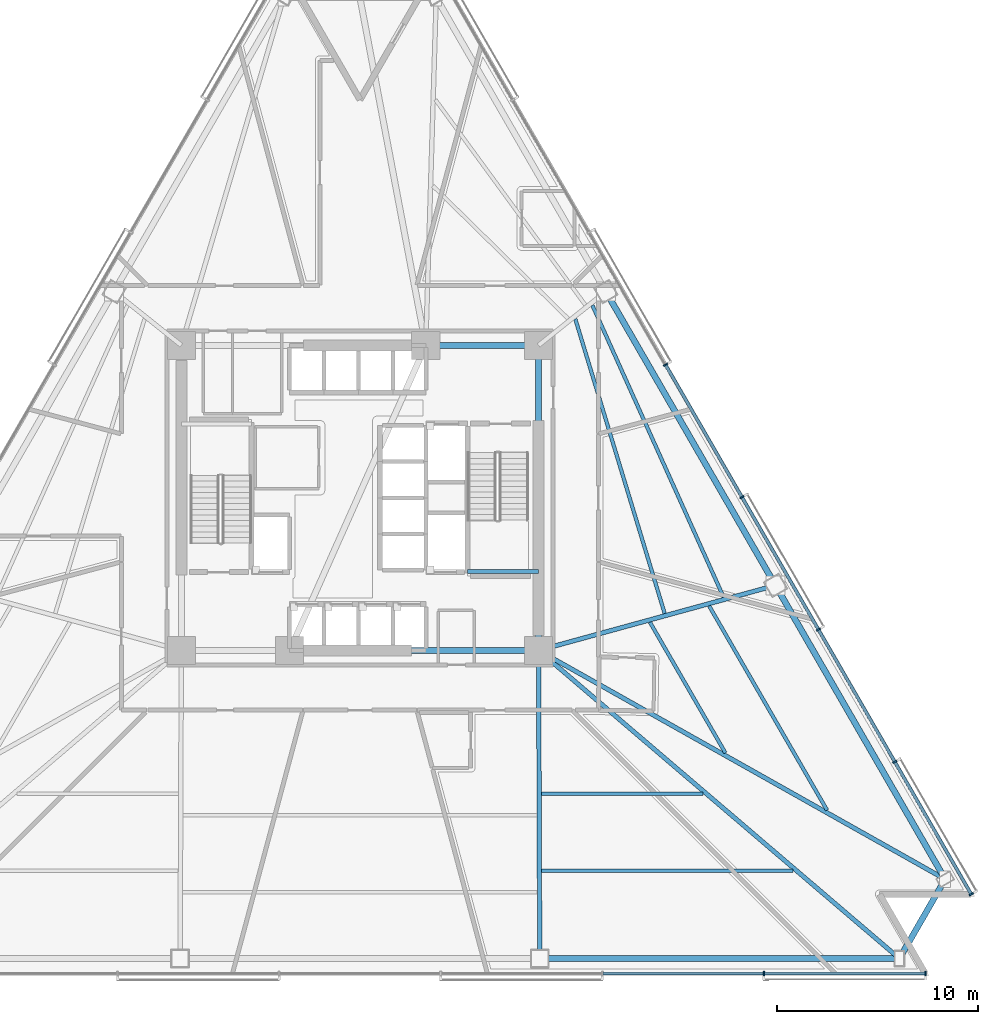
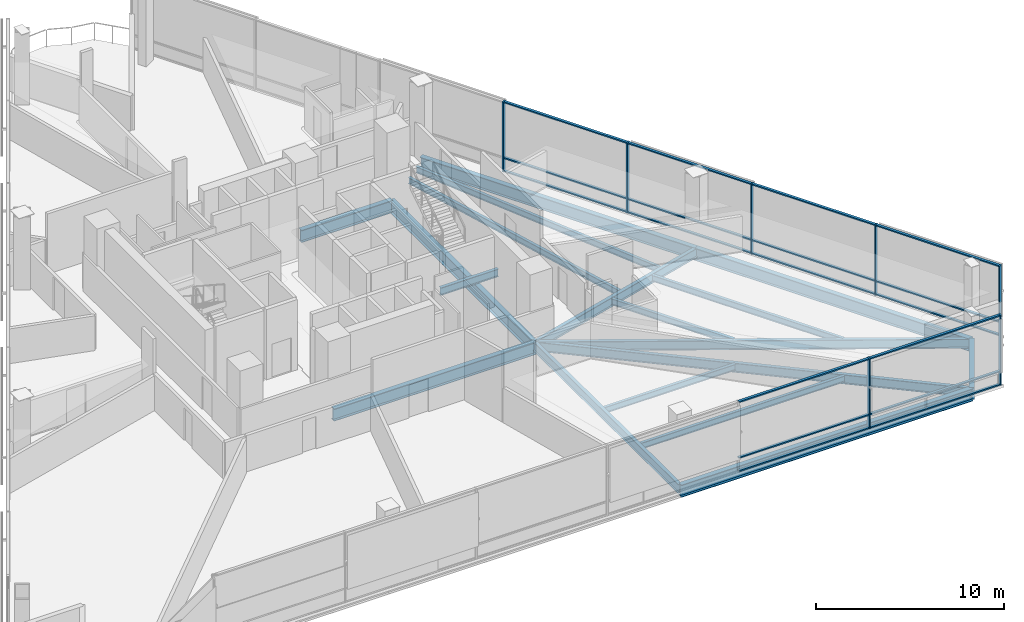
# One storey, part 4 of 17: 25 members, 18 beams, 2 elements without a shape of their own.
"""IFC4 building model written with IfcOpenShell, lengths in metres."""

from ifc_helpers import new_model, si_unit, direction, frame, origin, origin_2d, place, context, subcontext, project, spatial, rectangle, i_section, extrude, material, layer, layer_set, material_profile, profile_set, type_object, element, aggregate, save


model = new_model("IFC4")

# Units and contexts
model_context = context("Model", 3, precision=1e-05, world=origin(), true_north=direction((0.0, 1.0)))
body_context = subcontext(model_context, "Body", "Model", "MODEL_VIEW")
ifc_project = project(units=[si_unit("LENGTHUNIT", "METRE"), si_unit("AREAUNIT", "SQUARE_METRE"), si_unit("VOLUMEUNIT", "CUBIC_METRE"), si_unit("PLANEANGLEUNIT", "RADIAN"), si_unit("MASSUNIT", "GRAM", prefix="KILO")], contexts=[model_context])

# Site, building, storey
site_placement = place(None, origin())
site = spatial("IfcSite", under=ifc_project, at=site_placement, CompositionType="ELEMENT")
building_placement = place(site_placement, origin())
building = spatial("IfcBuilding", under=site, at=building_placement, Name="Tharavind Bronze Gate", CompositionType="ELEMENT")
storey_placement = place(building_placement, frame((0.0, 0.0, 52.25)))
storey = spatial("IfcBuildingStorey", under=building, at=storey_placement, Name="L12", CompositionType="ELEMENT", Elevation=52.25)

# Curtain wall, members
ifc_material_1 = material(Name="Anodised Bronze Aluminium", Category="aluminium")
ifc_layer = layer(ifc_material_1, 0.219970703125)
ifc_layer_set = layer_set([ifc_layer], Name="Anodised Bronze Aluminium")
curtain_wall_type = type_object("IfcCurtainWallType", Name="UNITISED CURTAIN WALL HOTEL", PredefinedType="USERDEFINED", material=ifc_layer_set)
curtain_wall_1_placement = place(storey_placement, origin())
curtain_wall_1 = element("IfcCurtainWall", 1, at=curtain_wall_1_placement, inside=storey, type_object=curtain_wall_type, Name="L12 unitised curtain wall hotel CW-L12-S2", ObjectType="UNITISED CURTAIN WALL", PredefinedType="USERDEFINED")
member_type_1 = type_object("IfcMemberType", Name="CURTAIN WALL MULLION 80X220", PredefinedType="MULLION", material=ifc_material_1)
member_1_placement = place(storey_placement, frame((20.12548828125, -23.699951171875, 0.0), z_axis=(0.0, 0.0, 1.0), x_axis=(1.0, 0.0, 0.0)))
member_1 = element("IfcMember", 2, at=member_1_placement, type_object=member_type_1, Name="CW-L12-S2 mullion 7", PredefinedType="MULLION", context=body_context, shape_type="SweptSolid", body=[
    extrude(rectangle(XDim=0.080078125, YDim=0.219970703125, at=origin_2d()), origin(), (0.0, 0.0, 1.0), 4.56005859375),
])
member_2_placement = place(storey_placement, frame((28.17578125, -23.699951171875, 0.0), z_axis=(0.0, 0.0, 1.0), x_axis=(1.0, 0.0, 0.0)))
member_2 = element("IfcMember", 3, at=member_2_placement, type_object=member_type_1, Name="CW-L12-S2 mullion 8", PredefinedType="MULLION", context=body_context, shape_type="SweptSolid", body=[
    extrude(rectangle(XDim=0.080078125, YDim=0.219970703125, at=origin_2d()), origin(), (0.0, 0.0, 1.0), 4.56005859375),
])

curtain_wall_2_placement = place(storey_placement, origin())
curtain_wall_2 = element("IfcCurtainWall", 4, at=curtain_wall_2_placement, inside=storey, type_object=curtain_wall_type, Name="L12 unitised curtain wall hotel CW-L12-S3", ObjectType="UNITISED CURTAIN WALL", PredefinedType="USERDEFINED")
member_3_placement = place(storey_placement, frame((30.455810546875, -19.7509765625, 0.0), z_axis=(0.0, 0.0, 1.0), x_axis=(-0.500001511499, 0.866024531118, 0.0)))
member_3 = element("IfcMember", 5, at=member_3_placement, type_object=member_type_1, Name="CW-L12-S3 mullion 1", PredefinedType="MULLION", context=body_context, shape_type="SweptSolid", body=[
    extrude(rectangle(XDim=0.080078125, YDim=0.219970703125, at=origin_2d()), origin(), (0.0, 0.0, 1.0), 4.56005859375),
])
member_4_placement = place(storey_placement, frame((26.647705078125, -13.1552734375, 0.0), z_axis=(0.0, 0.0, 1.0), x_axis=(-0.500001511499, 0.866024531118, 0.0)))
member_4 = element("IfcMember", 6, at=member_4_placement, type_object=member_type_1, Name="CW-L12-S3 mullion 2", PredefinedType="MULLION", context=body_context, shape_type="SweptSolid", body=[
    extrude(rectangle(XDim=0.080078125, YDim=0.219970703125, at=origin_2d()), origin(), (0.0, 0.0, 1.0), 4.56005859375),
])
member_5_placement = place(storey_placement, frame((22.83984375, -6.559814453125, 0.0), z_axis=(0.0, 0.0, 1.0), x_axis=(-0.500001511499, 0.866024531118, 0.0)))
member_5 = element("IfcMember", 7, at=member_5_placement, type_object=member_type_1, Name="CW-L12-S3 mullion 3", PredefinedType="MULLION", context=body_context, shape_type="SweptSolid", body=[
    extrude(rectangle(XDim=0.080078125, YDim=0.219970703125, at=origin_2d()), origin(), (0.0, 0.0, 1.0), 4.56005859375),
])
member_6_placement = place(storey_placement, frame((19.031982421875, 0.035888671875, 0.0), z_axis=(0.0, 0.0, 1.0), x_axis=(-0.500001511499, 0.866024531118, 0.0)))
member_6 = element("IfcMember", 8, at=member_6_placement, type_object=member_type_1, Name="CW-L12-S3 mullion 4", PredefinedType="MULLION", context=body_context, shape_type="SweptSolid", body=[
    extrude(rectangle(XDim=0.080078125, YDim=0.219970703125, at=origin_2d()), origin(), (0.0, 0.0, 1.0), 4.56005859375),
])
member_7_placement = place(storey_placement, frame((15.223876953125, 6.63134765625, 0.0), z_axis=(0.0, 0.0, 1.0), x_axis=(-0.500001511499, 0.866024531118, 0.0)))
member_7 = element("IfcMember", 9, at=member_7_placement, type_object=member_type_1, Name="CW-L12-S3 mullion 5", PredefinedType="MULLION", context=body_context, shape_type="SweptSolid", body=[
    extrude(rectangle(XDim=0.080078125, YDim=0.219970703125, at=origin_2d()), origin(), (0.0, 0.0, 1.0), 4.56005859375),
])

# Member
member_type_2 = type_object("IfcMemberType", Name="CURTAIN WALL TRANSOM 80X160", PredefinedType="USERDEFINED", material=ifc_material_1)
member_8_placement = place(storey_placement, frame((16.1005859375, -23.699951171875, 0.0), z_axis=(0.0, 0.0, 1.0), x_axis=(1.0, 0.0, 0.0)))
member_8 = element("IfcMember", 10, at=member_8_placement, type_object=member_type_2, Name="CW-L12-S2 transom TB6", ObjectType="TRANSOM", PredefinedType="USERDEFINED", context=body_context, shape_type="SweptSolid", body=[
    extrude(rectangle(XDim=7.982177734375, YDim=0.159912109375, at=origin_2d()), origin(), (0.0, 0.0, 1.0), 0.080078125),
])

member_9_placement = place(storey_placement, frame((16.1005859375, -23.699951171875, 0.85986328125), z_axis=(0.0, 0.0, 1.0), x_axis=(1.0, 0.0, 0.0)))
member_9 = element("IfcMember", 11, at=member_9_placement, type_object=member_type_2, Name="CW-L12-S2 transom TS6", ObjectType="TRANSOM", PredefinedType="USERDEFINED", context=body_context, shape_type="SweptSolid", body=[
    extrude(rectangle(XDim=7.982177734375, YDim=0.159912109375, at=origin_2d()), origin(), (0.0, 0.0, 1.0), 0.080078125),
])

member_10_placement = place(storey_placement, frame((16.1005859375, -23.699951171875, 4.47998046875), z_axis=(0.0, 0.0, 1.0), x_axis=(1.0, 0.0, 0.0)))
member_10 = element("IfcMember", 12, at=member_10_placement, type_object=member_type_2, Name="CW-L12-S2 transom TT6", ObjectType="TRANSOM", PredefinedType="USERDEFINED", context=body_context, shape_type="SweptSolid", body=[
    extrude(rectangle(XDim=7.982177734375, YDim=0.159912109375, at=origin_2d()), origin(), (0.0, 0.0, 1.0), 0.080078125),
])

member_11_placement = place(storey_placement, frame((24.150634765625, -23.699951171875, 0.0), z_axis=(0.0, 0.0, 1.0), x_axis=(1.0, 0.0, 0.0)))
member_11 = element("IfcMember", 13, at=member_11_placement, type_object=member_type_2, Name="CW-L12-S2 transom TB7", ObjectType="TRANSOM", PredefinedType="USERDEFINED", context=body_context, shape_type="SweptSolid", body=[
    extrude(rectangle(XDim=7.982177734375, YDim=0.159912109375, at=origin_2d()), origin(), (0.0, 0.0, 1.0), 0.080078125),
])

member_12_placement = place(storey_placement, frame((24.150634765625, -23.699951171875, 0.85986328125), z_axis=(0.0, 0.0, 1.0), x_axis=(1.0, 0.0, 0.0)))
member_12 = element("IfcMember", 14, at=member_12_placement, type_object=member_type_2, Name="CW-L12-S2 transom TS7", ObjectType="TRANSOM", PredefinedType="USERDEFINED", context=body_context, shape_type="SweptSolid", body=[
    extrude(rectangle(XDim=7.982177734375, YDim=0.159912109375, at=origin_2d()), origin(), (0.0, 0.0, 1.0), 0.080078125),
])

member_13_placement = place(storey_placement, frame((24.150634765625, -23.699951171875, 4.47998046875), z_axis=(0.0, 0.0, 1.0), x_axis=(1.0, 0.0, 0.0)))
member_13 = element("IfcMember", 15, at=member_13_placement, type_object=member_type_2, Name="CW-L12-S2 transom TT7", ObjectType="TRANSOM", PredefinedType="USERDEFINED", context=body_context, shape_type="SweptSolid", body=[
    extrude(rectangle(XDim=7.982177734375, YDim=0.159912109375, at=origin_2d()), origin(), (0.0, 0.0, 1.0), 0.080078125),
])

aggregate(curtain_wall_1, [member_1, member_2, member_8, member_9, member_10, member_11, member_12, member_13])

member_14_placement = place(storey_placement, frame((28.5517578125, -16.453125, 0.0), z_axis=(0.0, 0.0, 1.0), x_axis=(-0.500001511499, 0.866024531118, 0.0)))
member_14 = element("IfcMember", 16, at=member_14_placement, type_object=member_type_2, Name="CW-L12-S3 transom TB1", ObjectType="TRANSOM", PredefinedType="USERDEFINED", context=body_context, shape_type="SweptSolid", body=[
    extrude(rectangle(XDim=7.5478515625, YDim=0.159912109375, at=origin_2d()), origin(), (0.0, 0.0, 1.0), 0.080078125),
])

member_15_placement = place(storey_placement, frame((28.5517578125, -16.453125, 0.85986328125), z_axis=(0.0, 0.0, 1.0), x_axis=(-0.500001511499, 0.866024531118, 0.0)))
member_15 = element("IfcMember", 17, at=member_15_placement, type_object=member_type_2, Name="CW-L12-S3 transom TS1", ObjectType="TRANSOM", PredefinedType="USERDEFINED", context=body_context, shape_type="SweptSolid", body=[
    extrude(rectangle(XDim=7.5478515625, YDim=0.159912109375, at=origin_2d()), origin(), (0.0, 0.0, 1.0), 0.080078125),
])

member_16_placement = place(storey_placement, frame((28.5517578125, -16.453125, 4.47998046875), z_axis=(0.0, 0.0, 1.0), x_axis=(-0.500001511499, 0.866024531118, 0.0)))
member_16 = element("IfcMember", 18, at=member_16_placement, type_object=member_type_2, Name="CW-L12-S3 transom TT1", ObjectType="TRANSOM", PredefinedType="USERDEFINED", context=body_context, shape_type="SweptSolid", body=[
    extrude(rectangle(XDim=7.5478515625, YDim=0.159912109375, at=origin_2d()), origin(), (0.0, 0.0, 1.0), 0.080078125),
])

member_17_placement = place(storey_placement, frame((24.743896484375, -9.857421875, 0.0), z_axis=(0.0, 0.0, 1.0), x_axis=(-0.500001511499, 0.866024531118, 0.0)))
member_17 = element("IfcMember", 19, at=member_17_placement, type_object=member_type_2, Name="CW-L12-S3 transom TB2", ObjectType="TRANSOM", PredefinedType="USERDEFINED", context=body_context, shape_type="SweptSolid", body=[
    extrude(rectangle(XDim=7.5478515625, YDim=0.159912109375, at=origin_2d()), origin(), (0.0, 0.0, 1.0), 0.080078125),
])

member_18_placement = place(storey_placement, frame((24.743896484375, -9.857421875, 0.85986328125), z_axis=(0.0, 0.0, 1.0), x_axis=(-0.500001511499, 0.866024531118, 0.0)))
member_18 = element("IfcMember", 20, at=member_18_placement, type_object=member_type_2, Name="CW-L12-S3 transom TS2", ObjectType="TRANSOM", PredefinedType="USERDEFINED", context=body_context, shape_type="SweptSolid", body=[
    extrude(rectangle(XDim=7.5478515625, YDim=0.159912109375, at=origin_2d()), origin(), (0.0, 0.0, 1.0), 0.080078125),
])

member_19_placement = place(storey_placement, frame((24.743896484375, -9.857421875, 4.47998046875), z_axis=(0.0, 0.0, 1.0), x_axis=(-0.500001511499, 0.866024531118, 0.0)))
member_19 = element("IfcMember", 21, at=member_19_placement, type_object=member_type_2, Name="CW-L12-S3 transom TT2", ObjectType="TRANSOM", PredefinedType="USERDEFINED", context=body_context, shape_type="SweptSolid", body=[
    extrude(rectangle(XDim=7.5478515625, YDim=0.159912109375, at=origin_2d()), origin(), (0.0, 0.0, 1.0), 0.080078125),
])

member_20_placement = place(storey_placement, frame((20.935791015625, -3.261962890625, 0.0), z_axis=(0.0, 0.0, 1.0), x_axis=(-0.500001511499, 0.866024531118, 0.0)))
member_20 = element("IfcMember", 22, at=member_20_placement, type_object=member_type_2, Name="CW-L12-S3 transom TB3", ObjectType="TRANSOM", PredefinedType="USERDEFINED", context=body_context, shape_type="SweptSolid", body=[
    extrude(rectangle(XDim=7.5478515625, YDim=0.159912109375, at=origin_2d()), origin(), (0.0, 0.0, 1.0), 0.080078125),
])

member_21_placement = place(storey_placement, frame((20.935791015625, -3.261962890625, 0.85986328125), z_axis=(0.0, 0.0, 1.0), x_axis=(-0.500001511499, 0.866024531118, 0.0)))
member_21 = element("IfcMember", 23, at=member_21_placement, type_object=member_type_2, Name="CW-L12-S3 transom TS3", ObjectType="TRANSOM", PredefinedType="USERDEFINED", context=body_context, shape_type="SweptSolid", body=[
    extrude(rectangle(XDim=7.5478515625, YDim=0.159912109375, at=origin_2d()), origin(), (0.0, 0.0, 1.0), 0.080078125),
])

member_22_placement = place(storey_placement, frame((20.935791015625, -3.261962890625, 4.47998046875), z_axis=(0.0, 0.0, 1.0), x_axis=(-0.500001511499, 0.866024531118, 0.0)))
member_22 = element("IfcMember", 24, at=member_22_placement, type_object=member_type_2, Name="CW-L12-S3 transom TT3", ObjectType="TRANSOM", PredefinedType="USERDEFINED", context=body_context, shape_type="SweptSolid", body=[
    extrude(rectangle(XDim=7.5478515625, YDim=0.159912109375, at=origin_2d()), origin(), (0.0, 0.0, 1.0), 0.080078125),
])

member_23_placement = place(storey_placement, frame((17.1279296875, 3.33349609375, 0.0), z_axis=(0.0, 0.0, 1.0), x_axis=(-0.500001511499, 0.866024531118, 0.0)))
member_23 = element("IfcMember", 25, at=member_23_placement, type_object=member_type_2, Name="CW-L12-S3 transom TB4", ObjectType="TRANSOM", PredefinedType="USERDEFINED", context=body_context, shape_type="SweptSolid", body=[
    extrude(rectangle(XDim=7.5478515625, YDim=0.159912109375, at=origin_2d()), origin(), (0.0, 0.0, 1.0), 0.080078125),
])

member_24_placement = place(storey_placement, frame((17.1279296875, 3.33349609375, 0.85986328125), z_axis=(0.0, 0.0, 1.0), x_axis=(-0.500001511499, 0.866024531118, 0.0)))
member_24 = element("IfcMember", 26, at=member_24_placement, type_object=member_type_2, Name="CW-L12-S3 transom TS4", ObjectType="TRANSOM", PredefinedType="USERDEFINED", context=body_context, shape_type="SweptSolid", body=[
    extrude(rectangle(XDim=7.5478515625, YDim=0.159912109375, at=origin_2d()), origin(), (0.0, 0.0, 1.0), 0.080078125),
])

member_25_placement = place(storey_placement, frame((17.1279296875, 3.33349609375, 4.47998046875), z_axis=(0.0, 0.0, 1.0), x_axis=(-0.500001511499, 0.866024531118, 0.0)))
member_25 = element("IfcMember", 27, at=member_25_placement, type_object=member_type_2, Name="CW-L12-S3 transom TT4", ObjectType="TRANSOM", PredefinedType="USERDEFINED", context=body_context, shape_type="SweptSolid", body=[
    extrude(rectangle(XDim=7.5478515625, YDim=0.159912109375, at=origin_2d()), origin(), (0.0, 0.0, 1.0), 0.080078125),
])

aggregate(curtain_wall_2, [member_3, member_4, member_5, member_6, member_7, member_14, member_15, member_16, member_17, member_18, member_19, member_20, member_21, member_22, member_23, member_24, member_25])

# Beams
ifc_material_2 = material(Name="Steel S355", Category="steel")
ifc_material_profile_1 = material_profile(ifc_material_2, i_section(OverallWidth=0.199951171875, OverallDepth=0.5, WebThickness=0.01025390625, FlangeThickness=0.01611328125, at=origin_2d()), Name="IPE500")
ifc_profile_set_1 = profile_set([ifc_material_profile_1], Name="Steel S355")
beam_type_1 = type_object("IfcBeamType", Name="PRIMARY GIRDER IPE500", PredefinedType="USERDEFINED", material=ifc_profile_set_1)
beam_1_placement = place(storey_placement, frame((5.35009765625, -3.679931640625, 1.925048828125), z_axis=(1.0, 0.0, 0.0), x_axis=(0.0, 1.0, 0.0)))
element("IfcBeam", 28, at=beam_1_placement, inside=storey, type_object=beam_type_1, Name="L12 primary girder ipe500 BM-LD-ST2-L12-1", ObjectType="GIRDER", PredefinedType="USERDEFINED", context=body_context, shape_type="SweptSolid", body=[
    extrude(i_section(OverallWidth=0.199951171875, OverallDepth=0.5, WebThickness=0.01025390625, FlangeThickness=0.01611328125, at=origin_2d()), origin(), (0.0, 0.0, 1.0), 3.5498046875),
])
ifc_material_profile_2 = material_profile(ifc_material_2, i_section(OverallWidth=0.219970703125, OverallDepth=0.60009765625, WebThickness=0.011962890625, FlangeThickness=0.01904296875, at=origin_2d()), Name="IPE600")
ifc_profile_set_2 = profile_set([ifc_material_profile_2], Name="Steel S355")
beam_type_2 = type_object("IfcBeamType", Name="PRIMARY GIRDER IPE600", PredefinedType="USERDEFINED", material=ifc_profile_set_2)
beam_2_placement = place(storey_placement, frame((8.958984375, -22.949951171875, -0.47509765625), z_axis=(-0.003849000484, 0.99999259257, 0.0), x_axis=(-0.99999259257, -0.003849000484, 0.0)))
element("IfcBeam", 29, at=beam_2_placement, inside=storey, type_object=beam_type_2, Name="L12 primary girder ipe600 BM-L12-RAD07", ObjectType="GIRDER", PredefinedType="USERDEFINED", context=body_context, shape_type="SweptSolid", body=[
    extrude(i_section(OverallWidth=0.219970703125, OverallDepth=0.60009765625, WebThickness=0.011962890625, FlangeThickness=0.01904296875, at=origin_2d()), origin(), (0.0, 0.0, 1.0), 15.349853515625),
])
beam_3_placement = place(storey_placement, frame((26.876708984375, -22.949951171875, -0.47509765625), z_axis=(-0.76048513475, 0.649355341723, 0.0), x_axis=(-0.649355341723, -0.76048513475, 0.0)))
element("IfcBeam", 30, at=beam_3_placement, inside=storey, type_object=beam_type_2, Name="L12 primary girder ipe600 BM-L12-RAD08", ObjectType="GIRDER", PredefinedType="USERDEFINED", context=body_context, shape_type="SweptSolid", body=[
    extrude(i_section(OverallWidth=0.219970703125, OverallDepth=0.60009765625, WebThickness=0.011962890625, FlangeThickness=0.01904296875, at=origin_2d()), origin(), (0.0, 0.0, 1.0), 23.638671875),
])
beam_4_placement = place(storey_placement, frame((29.15673828125, -19.0009765625, -0.47509765625), z_axis=(-0.871457703454, 0.490470662824, 0.0), x_axis=(-0.490470662824, -0.871457703454, 0.0)))
element("IfcBeam", 31, at=beam_4_placement, inside=storey, type_object=beam_type_2, Name="L12 primary girder ipe600 BM-L12-RAD09", ObjectType="GIRDER", PredefinedType="USERDEFINED", context=body_context, shape_type="SweptSolid", body=[
    extrude(i_section(OverallWidth=0.219970703125, OverallDepth=0.60009765625, WebThickness=0.011962890625, FlangeThickness=0.01904296875, at=origin_2d()), origin(), (0.0, 0.0, 1.0), 23.244873046875),
])
beam_5_placement = place(storey_placement, frame((20.70458984375, -4.361083984375, -0.47509765625), z_axis=(-0.96435718827, -0.264603880228, 0.0), x_axis=(0.264603880228, -0.96435718827, 0.0)))
element("IfcBeam", 32, at=beam_5_placement, inside=storey, type_object=beam_type_2, Name="L12 primary girder ipe600 BM-L12-RAD10", ObjectType="GIRDER", PredefinedType="USERDEFINED", context=body_context, shape_type="SweptSolid", body=[
    extrude(i_section(OverallWidth=0.219970703125, OverallDepth=0.60009765625, WebThickness=0.011962890625, FlangeThickness=0.01904296875, at=origin_2d()), origin(), (0.0, 0.0, 1.0), 12.240966796875),
])
ifc_material_profile_3 = material_profile(ifc_material_2, i_section(OverallWidth=0.300048828125, OverallDepth=0.800048828125, WebThickness=0.017578125, FlangeThickness=0.032958984375, at=origin_2d()), Name="HE800B")
ifc_profile_set_3 = profile_set([ifc_material_profile_3], Name="Steel S355")
beam_type_3 = type_object("IfcBeamType", Name="RING GIRDER HE800B", PredefinedType="USERDEFINED", material=ifc_profile_set_3)
beam_6_placement = place(storey_placement, frame((-3.5, -7.60009765625, -0.574951171875), z_axis=(1.0, 0.0, 0.0), x_axis=(0.0, 1.0, 0.0)))
element("IfcBeam", 33, at=beam_6_placement, inside=storey, type_object=beam_type_3, Name="L12 ring girder he800b BM-L12-CR2", ObjectType="GIRDER", PredefinedType="USERDEFINED", context=body_context, shape_type="SweptSolid", body=[
    extrude(i_section(OverallWidth=0.300048828125, OverallDepth=0.800048828125, WebThickness=0.017578125, FlangeThickness=0.032958984375, at=origin_2d()), origin(), (0.0, 0.0, 1.0), 12.39990234375),
])
beam_7_placement = place(storey_placement, frame((8.89990234375, -7.60009765625, -0.574951171875), z_axis=(0.0, 1.0, 0.0), x_axis=(-1.0, 0.0, 0.0)))
element("IfcBeam", 34, at=beam_7_placement, inside=storey, type_object=beam_type_3, Name="L12 ring girder he800b BM-L12-CR3", ObjectType="GIRDER", PredefinedType="USERDEFINED", context=body_context, shape_type="SweptSolid", body=[
    extrude(i_section(OverallWidth=0.300048828125, OverallDepth=0.800048828125, WebThickness=0.017578125, FlangeThickness=0.032958984375, at=origin_2d()), origin(), (0.0, 0.0, 1.0), 15.2001953125),
])
beam_8_placement = place(storey_placement, frame((8.89990234375, 7.60009765625, -0.574951171875), z_axis=(-1.0, 0.0, 0.0), x_axis=(0.0, -1.0, 0.0)))
element("IfcBeam", 35, at=beam_8_placement, inside=storey, type_object=beam_type_3, Name="L12 ring girder he800b BM-L12-CR4", ObjectType="GIRDER", PredefinedType="USERDEFINED", context=body_context, shape_type="SweptSolid", body=[
    extrude(i_section(OverallWidth=0.300048828125, OverallDepth=0.800048828125, WebThickness=0.017578125, FlangeThickness=0.032958984375, at=origin_2d()), origin(), (0.0, 0.0, 1.0), 5.619873046875),
])
beam_9_placement = place(storey_placement, frame((8.958984375, -22.949951171875, -0.574951171875), z_axis=(1.0, 0.0, 0.0), x_axis=(0.0, 1.0, 0.0)))
element("IfcBeam", 36, at=beam_9_placement, inside=storey, type_object=beam_type_3, Name="L12 ring girder he800b BM-L12-PRG07", ObjectType="GIRDER", PredefinedType="USERDEFINED", context=body_context, shape_type="SweptSolid", body=[
    extrude(i_section(OverallWidth=0.300048828125, OverallDepth=0.800048828125, WebThickness=0.017578125, FlangeThickness=0.032958984375, at=origin_2d()), origin(), (0.0, 0.0, 1.0), 17.917724609375),
])
beam_10_placement = place(storey_placement, frame((26.876708984375, -22.949951171875, -0.574951171875), z_axis=(0.500014431597, 0.866017071537, 0.0), x_axis=(-0.866017071537, 0.500014431597, 0.0)))
element("IfcBeam", 37, at=beam_10_placement, inside=storey, type_object=beam_type_3, Name="L12 ring girder he800b BM-L12-PRG08", ObjectType="GIRDER", PredefinedType="USERDEFINED", context=body_context, shape_type="SweptSolid", body=[
    extrude(i_section(OverallWidth=0.300048828125, OverallDepth=0.800048828125, WebThickness=0.017578125, FlangeThickness=0.032958984375, at=origin_2d()), origin(), (0.0, 0.0, 1.0), 4.559814453125),
])
for number, where, z_axis, x_axis, name in (
    (38, (29.15673828125, -19.0009765625, -0.574951171875), (-0.4999912383, 0.866030462295, 0.0), (-0.866030462295, -0.4999912383, 0.0), "L12 ring girder he800b BM-L12-PRG09"),
    (39, (20.70458984375, -4.361083984375, -0.574951171875), (-0.50000832373, 0.866020598023, 0.0), (-0.866020598023, -0.50000832373, 0.0), "L12 ring girder he800b BM-L12-PRG10"),
):
    element("IfcBeam", number, at=place(storey_placement, frame(where, z_axis=z_axis, x_axis=x_axis)), inside=storey, type_object=beam_type_3, Name=name, ObjectType="GIRDER", PredefinedType="USERDEFINED", context=body_context, shape_type="SweptSolid", body=[
        extrude(i_section(OverallWidth=0.300048828125, OverallDepth=0.800048828125, WebThickness=0.017578125, FlangeThickness=0.032958984375, at=origin_2d()), origin(), (0.0, 0.0, 1.0), 16.904541015625),
    ])
ifc_material_profile_4 = material_profile(ifc_material_2, i_section(OverallWidth=0.179931640625, OverallDepth=0.39990234375, WebThickness=0.008544921875, FlangeThickness=0.013427734375, at=origin_2d()), Name="IPE400")
ifc_profile_set_4 = profile_set([ifc_material_profile_4], Name="Steel S355")
beam_type_4 = type_object("IfcBeamType", Name="SECONDARY FLOOR JOIST IPE400", PredefinedType="JOIST", material=ifc_profile_set_4)
beam_11_placement = place(storey_placement, frame((9.04150390625, -14.73779296875, -0.375), z_axis=(1.0, 0.0, 0.0), x_axis=(0.0, 1.0, 0.0)))
element("IfcBeam", 40, at=beam_11_placement, inside=storey, type_object=beam_type_4, Name="L12 secondary floor joist ipe400 BM-L12-JSTA07", PredefinedType="JOIST", context=body_context, shape_type="SweptSolid", body=[
    extrude(i_section(OverallWidth=0.179931640625, OverallDepth=0.39990234375, WebThickness=0.008544921875, FlangeThickness=0.013427734375, at=origin_2d()), origin(), (0.0, 0.0, 1.0), 8.044189453125),
])
beam_12_placement = place(storey_placement, frame((9.05615234375, -18.5751953125, -0.375), z_axis=(1.0, 0.0, 0.0), x_axis=(0.0, 1.0, 0.0)))
element("IfcBeam", 41, at=beam_12_placement, inside=storey, type_object=beam_type_4, Name="L12 secondary floor joist ipe400 BM-L12-JSTB07", PredefinedType="JOIST", context=body_context, shape_type="SweptSolid", body=[
    extrude(i_section(OverallWidth=0.179931640625, OverallDepth=0.39990234375, WebThickness=0.008544921875, FlangeThickness=0.013427734375, at=origin_2d()), origin(), (0.0, 0.0, 1.0), 12.52392578125),
])
beam_13_placement = place(storey_placement, frame((18.20947265625, -12.7109375, -0.375), z_axis=(-0.499995879736, 0.866027782607, 0.0), x_axis=(-0.866027782607, -0.499995879736, 0.0)))
element("IfcBeam", 42, at=beam_13_placement, inside=storey, type_object=beam_type_4, Name="L12 secondary floor joist ipe400 BM-L12-JSTA09", PredefinedType="JOIST", context=body_context, shape_type="SweptSolid", body=[
    extrude(i_section(OverallWidth=0.179931640625, OverallDepth=0.39990234375, WebThickness=0.008544921875, FlangeThickness=0.013427734375, at=origin_2d()), origin(), (0.0, 0.0, 1.0), 7.52294921875),
])
beam_14_placement = place(storey_placement, frame((23.273681640625, -15.561279296875, -0.375), z_axis=(-0.499996459651, 0.866027447796, 0.0), x_axis=(-0.866027447796, -0.499996459651, 0.0)))
element("IfcBeam", 43, at=beam_14_placement, inside=storey, type_object=beam_type_4, Name="L12 secondary floor joist ipe400 BM-L12-JSTB09", PredefinedType="JOIST", context=body_context, shape_type="SweptSolid", body=[
    extrude(i_section(OverallWidth=0.179931640625, OverallDepth=0.39990234375, WebThickness=0.008544921875, FlangeThickness=0.013427734375, at=origin_2d()), origin(), (0.0, 0.0, 1.0), 11.7490234375),
])
beam_15_placement = place(storey_placement, frame((15.182373046875, -5.758056640625, -0.375), z_axis=(-0.290410798392, 0.956902068227, 0.0), x_axis=(-0.956902068227, -0.290410798392, 0.0)))
element("IfcBeam", 44, at=beam_15_placement, inside=storey, type_object=beam_type_4, Name="L12 secondary floor joist ipe400 BM-L12-JSTA10", PredefinedType="JOIST", context=body_context, shape_type="SweptSolid", body=[
    extrude(i_section(OverallWidth=0.179931640625, OverallDepth=0.39990234375, WebThickness=0.008544921875, FlangeThickness=0.013427734375, at=origin_2d()), origin(), (0.0, 0.0, 1.0), 15.334716796875),
])
beam_16_placement = place(storey_placement, frame((18.119140625, -4.952392578125, -0.375), z_axis=(-0.40998786392, 0.91209097761, 0.0), x_axis=(-0.91209097761, -0.40998786392, 0.0)))
element("IfcBeam", 45, at=beam_16_placement, inside=storey, type_object=beam_type_4, Name="L12 secondary floor joist ipe400 BM-L12-JSTB10", PredefinedType="JOIST", context=body_context, shape_type="SweptSolid", body=[
    extrude(i_section(OverallWidth=0.179931640625, OverallDepth=0.39990234375, WebThickness=0.008544921875, FlangeThickness=0.013427734375, at=origin_2d()), origin(), (0.0, 0.0, 1.0), 15.949951171875),
])

save(model, "model.ifc")
